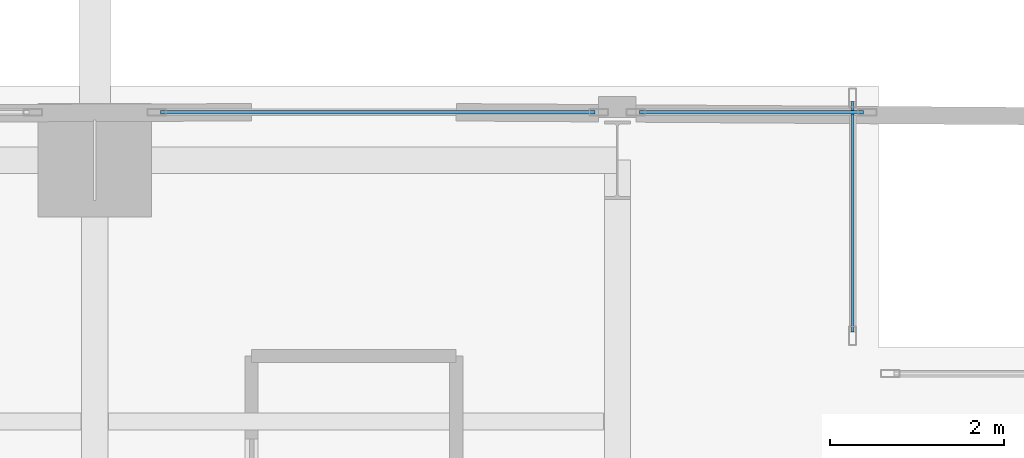
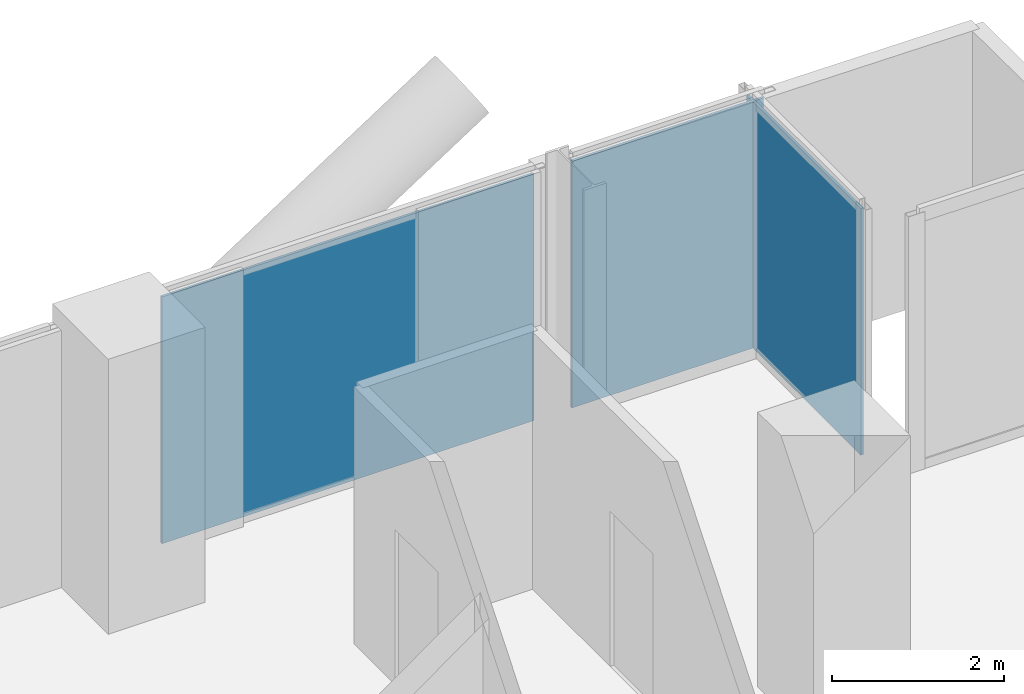
# One storey, part 18 of 27: 3 plates, 3 elements without a shape of their own.
"""IFC4 building model written with IfcOpenShell, lengths in metres."""

from ifc_helpers import new_model, si_unit, direction, frame, origin, origin_2d, place, context, subcontext, project, spatial, rectangle, extrude, material, layer, layer_set, type_object, element, aggregate, save


model = new_model("IFC4")

# Units and contexts
model_context = context("Model", 3, precision=1e-05, world=origin(), true_north=direction((0.0, 1.0)))
body_context = subcontext(model_context, "Body", "Model", "MODEL_VIEW")
ifc_project = project(units=[si_unit("LENGTHUNIT", "METRE"), si_unit("AREAUNIT", "SQUARE_METRE"), si_unit("VOLUMEUNIT", "CUBIC_METRE"), si_unit("PLANEANGLEUNIT", "RADIAN"), si_unit("MASSUNIT", "GRAM", prefix="KILO"), si_unit("THERMODYNAMICTEMPERATUREUNIT", "KELVIN"), si_unit("POWERUNIT", "WATT")], contexts=[model_context])

# Site, building, storey
site_placement = place(None, origin())
site = spatial("IfcSite", under=ifc_project, at=site_placement, CompositionType="ELEMENT")
building_placement = place(site_placement, origin())
building = spatial("IfcBuilding", under=site, at=building_placement, Name="Svarakhadi Broadcast Tower", CompositionType="ELEMENT")
storey_placement = place(building_placement, frame((0.0, 0.0, 75.300048828125)))
storey = spatial("IfcBuildingStorey", under=building, at=storey_placement, Name="L17", CompositionType="ELEMENT", Elevation=75.300048828125)

# Curtain wall, plate
ifc_material_1 = material(Name="Anodised Bronze Aluminium AA 6063-T6", Category="aluminium")
ifc_layer_1 = layer(ifc_material_1, 0.219970703125)
ifc_layer_set_1 = layer_set([ifc_layer_1], Name="Anodised Bronze Aluminium AA 6063-T6")
curtain_wall_type = type_object("IfcCurtainWallType", Name="CW_Sys_02", PredefinedType="NOTDEFINED", material=ifc_layer_set_1)
curtain_wall_1_placement = place(storey_placement, origin())
curtain_wall_1 = element("IfcCurtainWall", 1, at=curtain_wall_1_placement, inside=storey, type_object=curtain_wall_type, Name="L17 Unitised Facade Curtain Wall 06 Bay 3", PredefinedType="NOTDEFINED")
ifc_material_2 = material(Name="Double Low-E Laminated Acoustic Glass IGU 36 mm", Category="glass")
ifc_layer_2 = layer(ifc_material_2, 0.035888671875)
ifc_layer_set_2 = layer_set([ifc_layer_2], Name="Double Low-E Laminated Acoustic Glass IGU 36 mm")
plate_type = type_object("IfcPlateType", Name="CW_Sys_02_Pnl", PredefinedType="CURTAIN_PANEL", material=ifc_layer_set_2)
plate_1_placement = place(storey_placement, frame((15.25, 47.699951171875, 0.074951171875), z_axis=(0.0, 0.0, 1.0), x_axis=(1.0, 0.0, 0.0)))
plate_1 = element("IfcPlate", 2, at=plate_1_placement, type_object=plate_type, Name="CW-02 panel 1.1", PredefinedType="CURTAIN_PANEL", context=body_context, shape_type="SweptSolid", body=[
    extrude(rectangle(XDim=4.989990234375, YDim=0.035888671875, at=origin_2d()), origin(), (0.0, 0.0, 1.0), 3.5),
])
aggregate(curtain_wall_1, [plate_1])

curtain_wall_2_placement = place(storey_placement, origin())
curtain_wall_2 = element("IfcCurtainWall", 3, at=curtain_wall_2_placement, inside=storey, type_object=curtain_wall_type, Name="L17 Unitised Facade Curtain Wall 06 Bay 4", PredefinedType="NOTDEFINED")
plate_2_placement = place(storey_placement, frame((19.5400390625, 47.699951171875, 0.074951171875), z_axis=(0.0, 0.0, 1.0), x_axis=(1.0, 0.0, 0.0)))
plate_2 = element("IfcPlate", 4, at=plate_2_placement, type_object=plate_type, Name="CW-02 panel 1.1", PredefinedType="CURTAIN_PANEL", context=body_context, shape_type="SweptSolid", body=[
    extrude(rectangle(XDim=2.570068359375, YDim=0.035888671875, at=origin_2d()), origin(), (0.0, 0.0, 1.0), 3.5),
])
aggregate(curtain_wall_2, [plate_2])

curtain_wall_3_placement = place(storey_placement, origin())
curtain_wall_3 = element("IfcCurtainWall", 5, at=curtain_wall_3_placement, inside=storey, type_object=curtain_wall_type, Name="L17 Unitised Facade Curtain Wall 07", PredefinedType="NOTDEFINED")
plate_3_placement = place(storey_placement, frame((20.699951171875, 46.5, 0.074951171875), z_axis=(0.0, 0.0, 1.0), x_axis=(0.0, -1.0, 0.0)))
plate_3 = element("IfcPlate", 6, at=plate_3_placement, type_object=plate_type, Name="CW-02 panel 1.1", PredefinedType="CURTAIN_PANEL", context=body_context, shape_type="SweptSolid", body=[
    extrude(rectangle(XDim=2.64990234375, YDim=0.035888671875, at=origin_2d()), origin(), (0.0, 0.0, 1.0), 3.5),
])
aggregate(curtain_wall_3, [plate_3])

save(model, "model.ifc")
